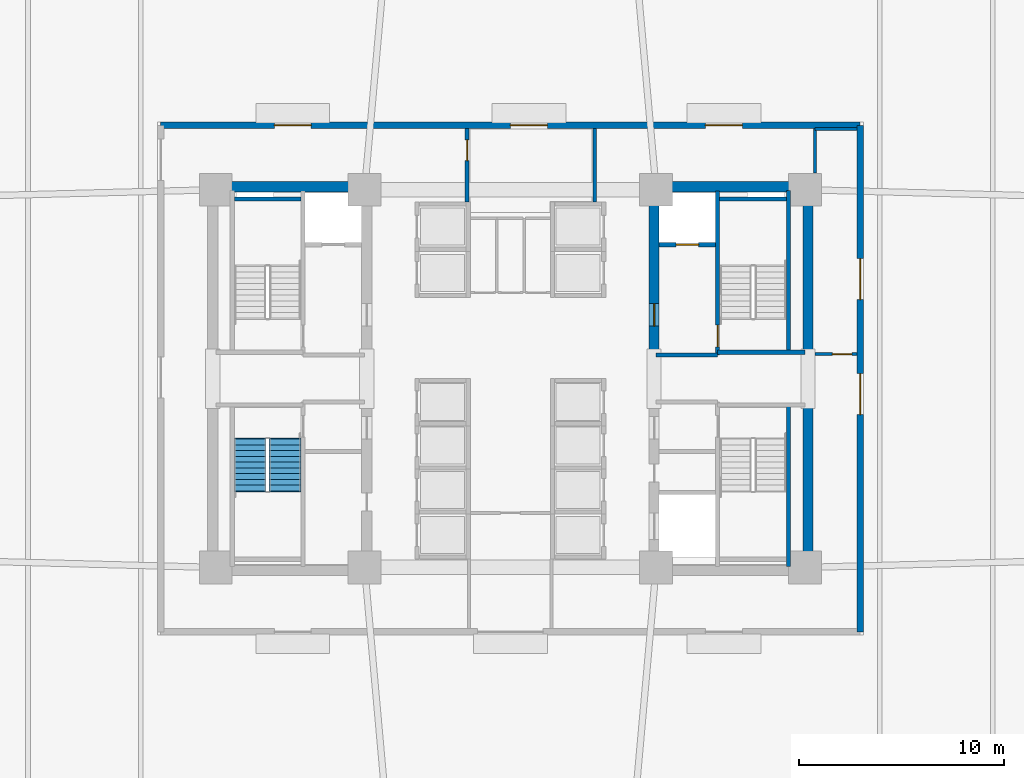
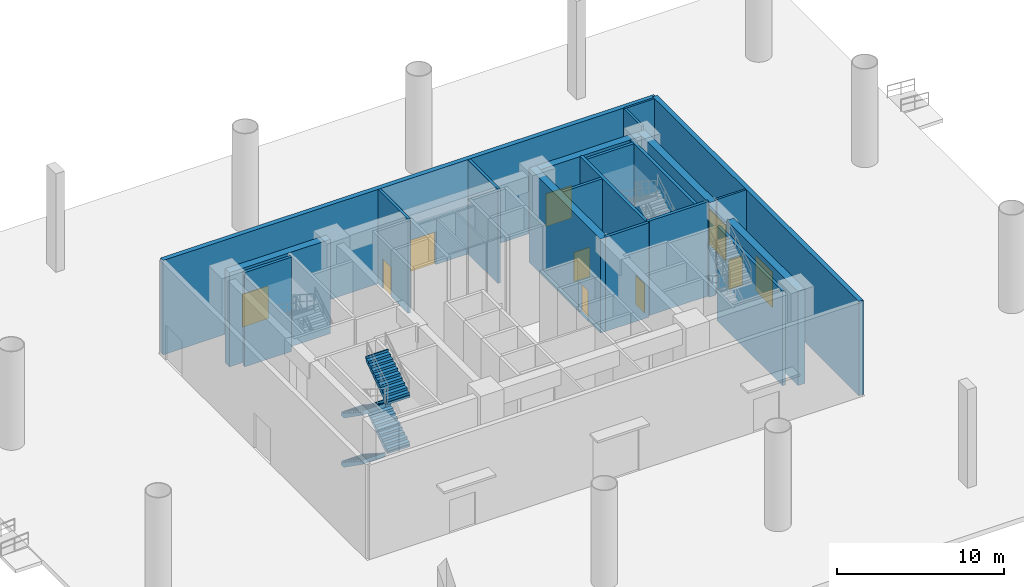
# One storey, part 5 of 10: 20 walls, 10 doors, 4 stair flights, 10 openings, 1 element without a shape of its own.
"""IFC4 building model written with IfcOpenShell, lengths in metres."""

from ifc_helpers import new_model, si_unit, direction, frame, frame_2d, origin, place, context, subcontext, project, spatial, polyline, rectangle, outline, extrude, source, transform, mapped, material, layer, layer_set, type_object, element, fill, aggregate, save


model = new_model("IFC4")

# Units and contexts
model_context = context("Model", 3, precision=1e-05, world=origin(), true_north=direction((0.0, 1.0)))
body_context = subcontext(model_context, "Body", "Model", "MODEL_VIEW")
ifc_project = project(units=[si_unit("LENGTHUNIT", "METRE"), si_unit("AREAUNIT", "SQUARE_METRE"), si_unit("VOLUMEUNIT", "CUBIC_METRE"), si_unit("PLANEANGLEUNIT", "RADIAN"), si_unit("MASSUNIT", "GRAM", prefix="KILO")], contexts=[model_context])

# Site, building, storey
site_placement = place(None, origin())
site = spatial("IfcSite", under=ifc_project, at=site_placement, CompositionType="ELEMENT")
building_placement = place(site_placement, origin())
building = spatial("IfcBuilding", under=site, at=building_placement, Name="Zahravan Cultural Tower", CompositionType="ELEMENT")
storey_placement = place(building_placement, origin())
storey = spatial("IfcBuildingStorey", under=building, at=storey_placement, Name="L00", CompositionType="ELEMENT", Elevation=0.0)

# Wall, opening, door
ifc_material_1 = material(Name="Concrete C60/75", Category="concrete")
ifc_layer_1 = layer(ifc_material_1, 0.5)
ifc_layer_set_1 = layer_set([ifc_layer_1], Name="Concrete C60/75")
wall_type_1 = type_object("IfcWallType", Name="CW-SHEAR-500-C60", PredefinedType="SHEAR", material=ifc_layer_set_1)
wall_1_placement = place(storey_placement, frame((43.0, 28.050048828125, 0.0), z_axis=(0.0, 0.0, 1.0), x_axis=(0.0, 1.0, 0.0)))
wall_1 = element("IfcWall", 1, at=wall_1_placement, inside=storey, type_object=wall_type_1, Name="L00 Core Shear Wall CW-E-WN-L00", PredefinedType="SHEAR", context=body_context, shape_type="SweptSolid", body=[
    extrude(rectangle(XDim=8.550048828125, YDim=0.5, at=frame_2d((4.27490234375, 0.0))), origin(), (0.0, 0.0, 1.0), 6.89990234375),
])
opening_1_placement = place(wall_1_placement, frame((1.5, 0.0, 0.0)))
opening_1 = element("IfcOpeningElement", 2, at=opening_1_placement, cuts=wall_1, Name="Opening D-L00-06", PredefinedType="OPENING", context=body_context, shape_type="SweptSolid", body=[
    extrude(rectangle(XDim=1.10009765625, YDim=2.199951171875, at=frame_2d((0.550048828125, 1.10009765625))), frame((0.0, 0.260009765625, 0.0), z_axis=(0.0, -1.0, 0.0), x_axis=(1.0, 0.0, 0.0)), (0.0, 0.0, 1.0), 0.52001953125),
])
ifc_material_2 = material(Name="Steel ASTM A572 Grade 50", Category="steel")
door_type_1 = type_object("IfcDoorType", Name="DR-LOBBY-1100", OperationType="NOTDEFINED", PredefinedType="DOOR", material=ifc_material_2)
shared_shape_1 = source(origin(), body_context, "Body", "SweptSolid", [
    extrude(rectangle(XDim=1.10009765625, YDim=2.199951171875, at=frame_2d((0.550048828125, 1.10009765625))), frame((0.0, 0.02490234375, 0.0), z_axis=(0.0, -1.0, 0.0), x_axis=(1.0, 0.0, 0.0)), (0.0, 0.0, 1.0), 0.050048828125),
])
door_1_placement = place(opening_1_placement, origin())
door_1 = element("IfcDoor", 3, at=door_1_placement, inside=storey, type_object=door_type_1, Name="L00 Door D-L00-06", OperationType="SINGLE_SWING_RIGHT", OverallHeight=2.199951171875, OverallWidth=1.10009765625, PredefinedType="DOOR", context=body_context, shape_type="MappedRepresentation", body=[
    mapped(shared_shape_1, transform((0.0, 0.0, 0.0), x_axis=(1.0, 0.0, 0.0), y_axis=(0.0, 1.0, 0.0), z_axis=(0.0, 0.0, 1.0), scale=1.0)),
])
fill(opening_1, door_1)

# Wall, openings, doors
ifc_material_3 = material(Name="Precast concrete C40/50", Category="concrete")
ifc_layer_2 = layer(ifc_material_3, 0.320068359375)
ifc_layer_set_2 = layer_set([ifc_layer_2], Name="Precast concrete C40/50")
wall_type_2 = type_object("IfcWallType", Name="EW-TC-320", PredefinedType="SOLIDWALL", material=ifc_layer_set_2)
wall_2_placement = place(storey_placement, frame((18.9599609375, 39.340087890625, 0.0), z_axis=(0.0, 0.0, 1.0), x_axis=(1.0, 0.0, 0.0)))
wall_2 = element("IfcWall", 4, at=wall_2_placement, inside=storey, type_object=wall_type_2, Name="L00 Foyer Exterior Wall EW-L00-N", PredefinedType="SOLIDWALL", context=body_context, shape_type="SweptSolid", body=[
    extrude(rectangle(XDim=34.080078125, YDim=0.320068359375, at=frame_2d((17.0400390625, 0.0))), origin(), (0.0, 0.0, 1.0), 6.89990234375),
])
opening_2_placement = place(wall_2_placement, frame((5.5400390625, 0.0, 0.0)))
opening_2 = element("IfcOpeningElement", 5, at=opening_2_placement, cuts=wall_2, Name="Opening D-ST-W1", PredefinedType="OPENING", context=body_context, shape_type="SweptSolid", body=[
    extrude(rectangle(XDim=1.800048828125, YDim=2.39990234375, at=frame_2d((0.89990234375, 1.199951171875))), frame((0.0, 0.169921875, 0.0), z_axis=(0.0, -1.0, 0.0), x_axis=(1.0, 0.0, 0.0)), (0.0, 0.0, 1.0), 0.340087890625),
])
opening_3_placement = place(wall_2_placement, frame((17.0400390625, 0.0, 0.0)))
opening_3 = element("IfcOpeningElement", 6, at=opening_3_placement, cuts=wall_2, Name="Opening D-L00-FCC", PredefinedType="OPENING", context=body_context, shape_type="SweptSolid", body=[
    extrude(rectangle(XDim=1.800048828125, YDim=2.39990234375, at=frame_2d((0.89990234375, 1.199951171875))), frame((0.0, 0.169921875, 0.0), z_axis=(0.0, -1.0, 0.0), x_axis=(1.0, 0.0, 0.0)), (0.0, 0.0, 1.0), 0.340087890625),
])
opening_4_placement = place(wall_2_placement, frame((26.5400390625, 0.0, 0.0)))
opening_4 = element("IfcOpeningElement", 7, at=opening_4_placement, cuts=wall_2, Name="Opening D-ST-E1", PredefinedType="OPENING", context=body_context, shape_type="SweptSolid", body=[
    extrude(rectangle(XDim=1.800048828125, YDim=2.39990234375, at=frame_2d((0.89990234375, 1.199951171875))), frame((0.0, 0.169921875, 0.0), z_axis=(0.0, -1.0, 0.0), x_axis=(1.0, 0.0, 0.0)), (0.0, 0.0, 1.0), 0.340087890625),
])
ifc_material_4 = material(Name="Anodised bronze-aluminium mullion", Category="aluminium")
door_type_2 = type_object("IfcDoorType", Name="DR-EXIT-1800", OperationType="DOUBLE_DOOR_SINGLE_SWING", PredefinedType="DOOR", material=ifc_material_4)
shared_shape_2 = source(origin(), body_context, "Body", "SweptSolid", [
    extrude(rectangle(XDim=1.800048828125, YDim=2.39990234375, at=frame_2d((0.89990234375, 1.199951171875))), frame((0.0, 0.02490234375, 0.0), z_axis=(0.0, -1.0, 0.0), x_axis=(1.0, 0.0, 0.0)), (0.0, 0.0, 1.0), 0.050048828125),
])
door_2_placement = place(opening_2_placement, origin())
door_2 = element("IfcDoor", 8, at=door_2_placement, inside=storey, type_object=door_type_2, Name="L00 Exterior Door D-ST-W1", OperationType="DOUBLE_DOOR_SINGLE_SWING", OverallHeight=2.39990234375, OverallWidth=1.800048828125, PredefinedType="DOOR", context=body_context, shape_type="MappedRepresentation", body=[
    mapped(shared_shape_2, transform((0.0, 0.0, 0.0), x_axis=(1.0, 0.0, 0.0), y_axis=(0.0, 1.0, 0.0), z_axis=(0.0, 0.0, 1.0), scale=1.0)),
])
fill(opening_2, door_2)
door_3_placement = place(opening_3_placement, origin())
door_3 = element("IfcDoor", 9, at=door_3_placement, inside=storey, type_object=door_type_2, Name="L00 Exterior Door D-L00-FCC", OperationType="DOUBLE_DOOR_SINGLE_SWING", OverallHeight=2.39990234375, OverallWidth=1.800048828125, PredefinedType="DOOR", context=body_context, shape_type="MappedRepresentation", body=[
    mapped(shared_shape_2, transform((0.0, 0.0, 0.0), x_axis=(1.0, 0.0, 0.0), y_axis=(0.0, 1.0, 0.0), z_axis=(0.0, 0.0, 1.0), scale=1.0)),
])
fill(opening_3, door_3)
door_4_placement = place(opening_4_placement, origin())
door_4 = element("IfcDoor", 10, at=door_4_placement, inside=storey, type_object=door_type_2, Name="L00 Exterior Door D-ST-E1", OperationType="DOUBLE_DOOR_SINGLE_SWING", OverallHeight=2.39990234375, OverallWidth=1.800048828125, PredefinedType="DOOR", context=body_context, shape_type="MappedRepresentation", body=[
    mapped(shared_shape_2, transform((0.0, 0.0, 0.0), x_axis=(1.0, 0.0, 0.0), y_axis=(0.0, 1.0, 0.0), z_axis=(0.0, 0.0, 1.0), scale=1.0)),
])
fill(opening_4, door_4)

wall_3_placement = place(storey_placement, frame((53.0400390625, 39.340087890625, 0.0), z_axis=(0.0, 0.0, 1.0), x_axis=(0.0, -1.0, 0.0)))
wall_3 = element("IfcWall", 11, at=wall_3_placement, inside=storey, type_object=wall_type_2, Name="L00 Foyer Exterior Wall EW-L00-E", PredefinedType="SOLIDWALL", context=body_context, shape_type="SweptSolid", body=[
    extrude(rectangle(XDim=24.68017578125, YDim=0.320068359375, at=frame_2d((12.340087890625, 0.0))), origin(), (0.0, 0.0, 1.0), 6.89990234375),
])
opening_5_placement = place(wall_3_placement, frame((6.5, 0.0, 0.0)))
opening_5 = element("IfcOpeningElement", 12, at=opening_5_placement, cuts=wall_3, Name="Opening D-EX01", PredefinedType="OPENING", context=body_context, shape_type="SweptSolid", body=[
    extrude(rectangle(XDim=2.0, YDim=2.60009765625, at=frame_2d((1.0, 1.300048828125))), frame((0.0, 0.169921875, 0.0), z_axis=(0.0, -1.0, 0.0), x_axis=(1.0, 0.0, 0.0)), (0.0, 0.0, 1.0), 0.340087890625),
])
opening_6_placement = place(wall_3_placement, frame((12.10009765625, 0.0, 0.0)))
opening_6 = element("IfcOpeningElement", 13, at=opening_6_placement, cuts=wall_3, Name="Opening D-EX02", PredefinedType="OPENING", context=body_context, shape_type="SweptSolid", body=[
    extrude(rectangle(XDim=2.0, YDim=2.60009765625, at=frame_2d((1.0, 1.300048828125))), frame((0.0, 0.169921875, 0.0), z_axis=(0.0, -1.0, 0.0), x_axis=(1.0, 0.0, 0.0)), (0.0, 0.0, 1.0), 0.340087890625),
])
door_type_3 = type_object("IfcDoorType", Name="DR-FOYER-2000", OperationType="DOUBLE_DOOR_SINGLE_SWING", PredefinedType="DOOR", material=ifc_material_4)
shared_shape_3 = source(origin(), body_context, "Body", "SweptSolid", [
    extrude(rectangle(XDim=2.0, YDim=2.60009765625, at=frame_2d((1.0, 1.300048828125))), frame((0.0, 0.02490234375, 0.0), z_axis=(0.0, -1.0, 0.0), x_axis=(1.0, 0.0, 0.0)), (0.0, 0.0, 1.0), 0.050048828125),
])
door_5_placement = place(opening_5_placement, origin())
door_5 = element("IfcDoor", 14, at=door_5_placement, inside=storey, type_object=door_type_3, Name="L00 Exterior Door D-EX01", OperationType="DOUBLE_DOOR_SINGLE_SWING", OverallHeight=2.60009765625, OverallWidth=2.0, PredefinedType="DOOR", context=body_context, shape_type="MappedRepresentation", body=[
    mapped(shared_shape_3, transform((0.0, 0.0, 0.0), x_axis=(1.0, 0.0, 0.0), y_axis=(0.0, 1.0, 0.0), z_axis=(0.0, 0.0, 1.0), scale=1.0)),
])
fill(opening_5, door_5)
door_6_placement = place(opening_6_placement, origin())
door_6 = element("IfcDoor", 15, at=door_6_placement, inside=storey, type_object=door_type_3, Name="L00 Exterior Door D-EX02", OperationType="DOUBLE_DOOR_SINGLE_SWING", OverallHeight=2.60009765625, OverallWidth=2.0, PredefinedType="DOOR", context=body_context, shape_type="MappedRepresentation", body=[
    mapped(shared_shape_3, transform((0.0, 0.0, 0.0), x_axis=(1.0, 0.0, 0.0), y_axis=(0.0, 1.0, 0.0), z_axis=(0.0, 0.0, 1.0), scale=1.0)),
])
fill(opening_6, door_6)

# Wall, opening, door
ifc_material_5 = material(Name="Gypsum plasterboard partition")
ifc_layer_3 = layer(ifc_material_5, 0.179931640625)
ifc_layer_set_3 = layer_set([ifc_layer_3], Name="Gypsum plasterboard partition")
wall_type_3 = type_object("IfcWallType", Name="W-COMP-180", PredefinedType="PARTITIONING", material=ifc_layer_set_3)
wall_4_placement = place(storey_placement, frame((33.889892578125, 35.60009765625, 0.0), z_axis=(0.0, 0.0, 1.0), x_axis=(0.0, 1.0, 0.0)))
wall_4 = element("IfcWall", 16, at=wall_4_placement, inside=storey, type_object=wall_type_3, Name="L00 Interior Wall 081", PredefinedType="PARTITIONING", context=body_context, shape_type="SweptSolid", body=[
    extrude(rectangle(XDim=3.574951171875, YDim=0.179931640625, at=frame_2d((1.78759765625, 0.0))), origin(), (0.0, 0.0, 1.0), 6.89990234375),
])
opening_7_placement = place(wall_4_placement, frame((2.0224609375, 0.0, 0.0)))
opening_7 = element("IfcOpeningElement", 17, at=opening_7_placement, cuts=wall_4, Name="Opening D-L00-11", PredefinedType="OPENING", context=body_context, shape_type="SweptSolid", body=[
    extrude(rectangle(XDim=1.0, YDim=2.14990234375, at=frame_2d((0.5, 1.074951171875))), frame((0.0, 0.099853515625, 0.0), z_axis=(0.0, -1.0, 0.0), x_axis=(1.0, 0.0, 0.0)), (0.0, 0.0, 1.0), 0.199951171875),
])
door_type_4 = type_object("IfcDoorType", Name="DR-COMP-1000", OperationType="NOTDEFINED", PredefinedType="DOOR", material=ifc_material_2)
shared_shape_4 = source(origin(), body_context, "Body", "SweptSolid", [
    extrude(rectangle(XDim=1.0, YDim=2.14990234375, at=frame_2d((0.5, 1.074951171875))), frame((0.0, 0.02490234375, 0.0), z_axis=(0.0, -1.0, 0.0), x_axis=(1.0, 0.0, 0.0)), (0.0, 0.0, 1.0), 0.050048828125),
])
door_7_placement = place(opening_7_placement, origin())
door_7 = element("IfcDoor", 18, at=door_7_placement, inside=storey, type_object=door_type_4, Name="L00 Door D-L00-11", OperationType="SINGLE_SWING_LEFT", OverallHeight=2.14990234375, OverallWidth=1.0, PredefinedType="DOOR", context=body_context, shape_type="MappedRepresentation", body=[
    mapped(shared_shape_4, transform((0.0, 0.0, 0.0), x_axis=(1.0, 0.0, 0.0), y_axis=(0.0, 1.0, 0.0), z_axis=(0.0, 0.0, 1.0), scale=1.0)),
])
fill(opening_7, door_7)

ifc_layer_4 = layer(ifc_material_5, 0.139892578125)
ifc_layer_set_4 = layer_set([ifc_layer_4], Name="Gypsum plasterboard partition")
wall_type_4 = type_object("IfcWallType", Name="W-PART-140", PredefinedType="PARTITIONING", material=ifc_layer_set_4)
wall_5_placement = place(storey_placement, frame((52.875, 28.18994140625, 0.0), z_axis=(0.0, 0.0, 1.0), x_axis=(-1.0, 0.0, 0.0)))
wall_5 = element("IfcWall", 19, at=wall_5_placement, inside=storey, type_object=wall_type_4, Name="L00 Interior Wall 078", PredefinedType="PARTITIONING", context=body_context, shape_type="SweptSolid", body=[
    extrude(rectangle(XDim=2.034912109375, YDim=0.139892578125, at=frame_2d((1.017578125, 0.0))), origin(), (0.0, 0.0, 1.0), 6.89990234375),
])
opening_8_placement = place(wall_5_placement, frame((0.23876953125, 0.0, 0.0)))
opening_8 = element("IfcOpeningElement", 20, at=opening_8_placement, cuts=wall_5, Name="Opening D-L00-16", PredefinedType="OPENING", context=body_context, shape_type="SweptSolid", body=[
    extrude(rectangle(XDim=0.949951171875, YDim=2.14990234375, at=frame_2d((0.47509765625, 1.074951171875))), frame((0.0, 0.079833984375, 0.0), z_axis=(0.0, -1.0, 0.0), x_axis=(1.0, 0.0, 0.0)), (0.0, 0.0, 1.0), 0.159912109375),
])
door_type_5 = type_object("IfcDoorType", Name="DR-ROOM-950", OperationType="NOTDEFINED", PredefinedType="DOOR", material=ifc_material_4)
shared_shape_5 = source(origin(), body_context, "Body", "SweptSolid", [
    extrude(rectangle(XDim=0.949951171875, YDim=2.14990234375, at=frame_2d((0.47509765625, 1.074951171875))), frame((0.0, 0.02490234375, 0.0), z_axis=(0.0, -1.0, 0.0), x_axis=(1.0, 0.0, 0.0)), (0.0, 0.0, 1.0), 0.050048828125),
])
door_8_placement = place(opening_8_placement, origin())
door_8 = element("IfcDoor", 21, at=door_8_placement, inside=storey, type_object=door_type_5, Name="L00 Door D-L00-16", OperationType="SINGLE_SWING_RIGHT", OverallHeight=2.14990234375, OverallWidth=0.949951171875, PredefinedType="DOOR", context=body_context, shape_type="MappedRepresentation", body=[
    mapped(shared_shape_5, transform((0.0, 0.0, 0.0), x_axis=(1.0, 0.0, 0.0), y_axis=(0.0, 1.0, 0.0), z_axis=(0.0, 0.0, 1.0), scale=1.0)),
])
fill(opening_8, door_8)

ifc_material_6 = material(Name="Concrete C45/55", Category="concrete")
ifc_layer_5 = layer(ifc_material_6, 0.199951171875)
ifc_layer_set_5 = layer_set([ifc_layer_5], Name="Concrete C45/55")
wall_type_5 = type_object("IfcWallType", Name="W-SHAFT-200", PredefinedType="SOLIDWALL", material=ifc_layer_set_5)
wall_6_placement = place(storey_placement, frame((46.10009765625, 28.14990234375, 0.0), z_axis=(0.0, 0.0, 1.0), x_axis=(0.0, 1.0, 0.0)))
wall_6 = element("IfcWall", 22, at=wall_6_placement, inside=storey, type_object=wall_type_5, Name="L00 Interior Wall 008", PredefinedType="SOLIDWALL", context=body_context, shape_type="SweptSolid", body=[
    extrude(rectangle(XDim=8.0, YDim=0.199951171875, at=frame_2d((4.0, 0.0))), origin(), (0.0, 0.0, 1.0), 6.89990234375),
])
opening_9_placement = place(wall_6_placement, frame((0.39990234375, 0.0, 0.0)))
opening_9 = element("IfcOpeningElement", 23, at=opening_9_placement, cuts=wall_6, Name="Opening D-L00-02", PredefinedType="OPENING", context=body_context, shape_type="SweptSolid", body=[
    extrude(rectangle(XDim=1.050048828125, YDim=2.14990234375, at=frame_2d((0.52490234375, 1.074951171875))), frame((0.0, 0.10986328125, 0.0), z_axis=(0.0, -1.0, 0.0), x_axis=(1.0, 0.0, 0.0)), (0.0, 0.0, 1.0), 0.219970703125),
])
door_type_6 = type_object("IfcDoorType", Name="DR-STAIR-1050", OperationType="NOTDEFINED", PredefinedType="DOOR", material=ifc_material_2)
shared_shape_6 = source(origin(), body_context, "Body", "SweptSolid", [
    extrude(rectangle(XDim=1.050048828125, YDim=2.14990234375, at=frame_2d((0.52490234375, 1.074951171875))), frame((0.0, 0.02490234375, 0.0), z_axis=(0.0, -1.0, 0.0), x_axis=(1.0, 0.0, 0.0)), (0.0, 0.0, 1.0), 0.050048828125),
])
door_9_placement = place(opening_9_placement, origin())
door_9 = element("IfcDoor", 24, at=door_9_placement, inside=storey, type_object=door_type_6, Name="L00 Door D-L00-02", OperationType="SINGLE_SWING_RIGHT", OverallHeight=2.14990234375, OverallWidth=1.050048828125, PredefinedType="DOOR", context=body_context, shape_type="MappedRepresentation", body=[
    mapped(shared_shape_6, transform((0.0, 0.0, 0.0), x_axis=(1.0, 0.0, 0.0), y_axis=(0.0, 1.0, 0.0), z_axis=(0.0, 0.0, 1.0), scale=1.0)),
])
fill(opening_9, door_9)

wall_7_placement = place(storey_placement, frame((43.25, 33.52001953125, 0.0), z_axis=(0.0, 0.0, 1.0), x_axis=(1.0, 0.0, 0.0)))
wall_7 = element("IfcWall", 25, at=wall_7_placement, inside=storey, type_object=wall_type_5, Name="L00 Interior Wall 022", PredefinedType="SOLIDWALL", context=body_context, shape_type="SweptSolid", body=[
    extrude(rectangle(XDim=2.75, YDim=0.199951171875, at=frame_2d((1.375, 0.0))), origin(), (0.0, 0.0, 1.0), 6.89990234375),
])
opening_10_placement = place(wall_7_placement, frame((0.820068359375, 0.0, 0.0)))
opening_10 = element("IfcOpeningElement", 26, at=opening_10_placement, cuts=wall_7, Name="Opening LD-L00-02", PredefinedType="OPENING", context=body_context, shape_type="SweptSolid", body=[
    extrude(rectangle(XDim=1.10009765625, YDim=2.14990234375, at=frame_2d((0.550048828125, 1.074951171875))), frame((0.0, 0.10986328125, 0.0), z_axis=(0.0, -1.0, 0.0), x_axis=(1.0, 0.0, 0.0)), (0.0, 0.0, 1.0), 0.219970703125),
])
door_type_7 = type_object("IfcDoorType", Name="DR-LIFT-1100", OperationType="DOUBLE_DOOR_SLIDING", PredefinedType="DOOR", material=ifc_material_2)
shared_shape_7 = source(origin(), body_context, "Body", "SweptSolid", [
    extrude(rectangle(XDim=1.10009765625, YDim=2.14990234375, at=frame_2d((0.550048828125, 1.074951171875))), frame((0.0, 0.02490234375, 0.0), z_axis=(0.0, -1.0, 0.0), x_axis=(1.0, 0.0, 0.0)), (0.0, 0.0, 1.0), 0.050048828125),
])
door_10_placement = place(opening_10_placement, origin())
door_10 = element("IfcDoor", 27, at=door_10_placement, inside=storey, type_object=door_type_7, Name="L00 Door LD-L00-02", OperationType="DOUBLE_DOOR_SLIDING", OverallHeight=2.14990234375, OverallWidth=1.10009765625, PredefinedType="DOOR", context=body_context, shape_type="MappedRepresentation", body=[
    mapped(shared_shape_7, transform((0.0, 0.0, 0.0), x_axis=(1.0, 0.0, 0.0), y_axis=(0.0, 1.0, 0.0), z_axis=(0.0, 0.0, 1.0), scale=1.0)),
])
fill(opening_10, door_10)

# Walls
shared_shape_8 = source(origin(), body_context, "Body", "SweptSolid", [
    extrude(rectangle(XDim=8.550048828125, YDim=0.5, at=frame_2d((4.27490234375, 0.0))), origin(), (0.0, 0.0, 1.0), 6.89990234375),
])
for number, where, z_axis, x_axis, name in (
    (28, (50.5, 17.39990234375, 0.0), (0.0, 0.0, 1.0), (0.0, 1.0, 0.0), "L00 Core Shear Wall CW-E-ES-L00"),
    (29, (50.5, 28.050048828125, 0.0), (0.0, 0.0, 1.0), (0.0, 1.0, 0.0), "L00 Core Shear Wall CW-E-EN-L00"),
):
    element("IfcWall", number, at=place(storey_placement, frame(where, z_axis=z_axis, x_axis=x_axis)), inside=storey, type_object=wall_type_1, Name=name, PredefinedType="SHEAR", context=body_context, shape_type="MappedRepresentation", body=[
        mapped(shared_shape_8, transform((0.0, 0.0, 0.0), x_axis=(1.0, 0.0, 0.0), y_axis=(0.0, 1.0, 0.0), z_axis=(0.0, 0.0, 1.0), scale=1.0)),
    ])
shared_shape_9 = source(origin(), body_context, "Body", "SweptSolid", [
    extrude(rectangle(XDim=7.0, YDim=0.5, at=frame_2d((3.5, 0.0))), origin(), (0.0, 0.0, 1.0), 6.89990234375),
])
for number, where, z_axis, x_axis, name in (
    (30, (21.75, 36.35009765625, 0.0), (0.0, 0.0, 1.0), (1.0, 0.0, 0.0), "L00 Core Shear Wall CW-W-N-L00"),
    (31, (43.25, 36.35009765625, 0.0), (0.0, 0.0, 1.0), (1.0, 0.0, 0.0), "L00 Core Shear Wall CW-E-N-L00"),
):
    element("IfcWall", number, at=place(storey_placement, frame(where, z_axis=z_axis, x_axis=x_axis)), inside=storey, type_object=wall_type_1, Name=name, PredefinedType="SHEAR", context=body_context, shape_type="MappedRepresentation", body=[
        mapped(shared_shape_9, transform((0.0, 0.0, 0.0), x_axis=(1.0, 0.0, 0.0), y_axis=(0.0, 1.0, 0.0), z_axis=(0.0, 0.0, 1.0), scale=1.0)),
    ])
shared_shape_10 = source(origin(), body_context, "Body", "SweptSolid", [
    extrude(rectangle(XDim=7.869873046875, YDim=0.199951171875, at=frame_2d((3.93505859375, 0.0))), origin(), (0.0, 0.0, 1.0), 6.89990234375),
])
for number, where, z_axis, x_axis, name in (
    (32, (49.550048828125, 17.85009765625, 0.0), (0.0, 0.0, 1.0), (0.0, 1.0, 0.0), "L00 Interior Wall 003"),
    (33, (49.550048828125, 28.280029296875, 0.0), (0.0, 0.0, 1.0), (0.0, 1.0, 0.0), "L00 Interior Wall 004"),
):
    element("IfcWall", number, at=place(storey_placement, frame(where, z_axis=z_axis, x_axis=x_axis)), inside=storey, type_object=wall_type_5, Name=name, PredefinedType="SOLIDWALL", context=body_context, shape_type="MappedRepresentation", body=[
        mapped(shared_shape_10, transform((0.0, 0.0, 0.0), x_axis=(1.0, 0.0, 0.0), y_axis=(0.0, 1.0, 0.0), z_axis=(0.0, 0.0, 1.0), scale=1.0)),
    ])
shared_shape_11 = source(origin(), body_context, "Body", "SweptSolid", [
    extrude(rectangle(XDim=4.25, YDim=0.199951171875, at=frame_2d((2.125, 0.0))), origin(), (0.0, 0.0, 1.0), 6.89990234375),
])
wall_8_placement = place(storey_placement, frame((46.10009765625, 28.284912109375, 0.0), z_axis=(0.0, 0.0, 1.0), x_axis=(1.0, 0.0, 0.0)))
element("IfcWall", 34, at=wall_8_placement, inside=storey, type_object=wall_type_5, Name="L00 Interior Wall 016", PredefinedType="SOLIDWALL", context=body_context, shape_type="MappedRepresentation", body=[
    mapped(shared_shape_11, transform((0.0, 0.0, 0.0), x_axis=(1.0, 0.0, 0.0), y_axis=(0.0, 1.0, 0.0), z_axis=(0.0, 0.0, 1.0), scale=1.0)),
])
shared_shape_12 = source(origin(), body_context, "Body", "SweptSolid", [
    extrude(rectangle(XDim=3.0, YDim=0.199951171875, at=frame_2d((1.5, 0.0))), origin(), (0.0, 0.0, 1.0), 6.89990234375),
])
wall_9_placement = place(storey_placement, frame((43.10009765625, 28.14990234375, 0.0), z_axis=(0.0, 0.0, 1.0), x_axis=(1.0, 0.0, 0.0)))
element("IfcWall", 35, at=wall_9_placement, inside=storey, type_object=wall_type_5, Name="L00 Interior Wall 015", PredefinedType="SOLIDWALL", context=body_context, shape_type="MappedRepresentation", body=[
    mapped(shared_shape_12, transform((0.0, 0.0, 0.0), x_axis=(1.0, 0.0, 0.0), y_axis=(0.0, 1.0, 0.0), z_axis=(0.0, 0.0, 1.0), scale=1.0)),
])
shared_shape_13 = source(origin(), body_context, "Body", "SweptSolid", [
    extrude(rectangle(XDim=3.25, YDim=0.199951171875, at=frame_2d((1.625, 0.0))), origin(), (0.0, 0.0, 1.0), 6.89990234375),
])
for number, where, z_axis, x_axis, name in (
    (36, (22.550048828125, 35.75, 0.0), (0.0, 0.0, 1.0), (1.0, 0.0, 0.0), "L00 Interior Wall 017"),
    (37, (46.199951171875, 35.75, 0.0), (0.0, 0.0, 1.0), (1.0, 0.0, 0.0), "L00 Interior Wall 018"),
):
    element("IfcWall", number, at=place(storey_placement, frame(where, z_axis=z_axis, x_axis=x_axis)), inside=storey, type_object=wall_type_5, Name=name, PredefinedType="SOLIDWALL", context=body_context, shape_type="MappedRepresentation", body=[
        mapped(shared_shape_13, transform((0.0, 0.0, 0.0), x_axis=(1.0, 0.0, 0.0), y_axis=(0.0, 1.0, 0.0), z_axis=(0.0, 0.0, 1.0), scale=1.0)),
    ])
shared_shape_14 = source(origin(), body_context, "Body", "SweptSolid", [
    extrude(rectangle(XDim=2.034912109375, YDim=0.139892578125, at=frame_2d((1.017578125, 0.0))), origin(), (0.0, 0.0, 1.0), 6.89990234375),
])
wall_10_placement = place(storey_placement, frame((50.840087890625, 39.159912109375, 0.0), z_axis=(0.0, 0.0, 1.0), x_axis=(1.0, 0.0, 0.0)))
element("IfcWall", 38, at=wall_10_placement, inside=storey, type_object=wall_type_4, Name="L00 Interior Wall 077", PredefinedType="PARTITIONING", context=body_context, shape_type="MappedRepresentation", body=[
    mapped(shared_shape_14, transform((0.0, 0.0, 0.0), x_axis=(1.0, 0.0, 0.0), y_axis=(0.0, 1.0, 0.0), z_axis=(0.0, 0.0, 1.0), scale=1.0)),
])
shared_shape_15 = source(origin(), body_context, "Body", "SweptSolid", [
    extrude(rectangle(XDim=2.155029296875, YDim=0.139892578125, at=frame_2d((1.07763671875, 0.0))), origin(), (0.0, 0.0, 1.0), 6.89990234375),
])
wall_11_placement = place(storey_placement, frame((50.840087890625, 37.02001953125, 0.0), z_axis=(0.0, 0.0, 1.0), x_axis=(0.0, 1.0, 0.0)))
element("IfcWall", 39, at=wall_11_placement, inside=storey, type_object=wall_type_4, Name="L00 Interior Wall 079", PredefinedType="PARTITIONING", context=body_context, shape_type="MappedRepresentation", body=[
    mapped(shared_shape_15, transform((0.0, 0.0, 0.0), x_axis=(1.0, 0.0, 0.0), y_axis=(0.0, 1.0, 0.0), z_axis=(0.0, 0.0, 1.0), scale=1.0)),
])
shared_shape_16 = source(origin(), body_context, "Body", "SweptSolid", [
    extrude(rectangle(XDim=3.570068359375, YDim=0.179931640625, at=frame_2d((1.78515625, 0.0))), origin(), (0.0, 0.0, 1.0), 6.89990234375),
])
wall_12_placement = place(storey_placement, frame((40.110107421875, 39.175048828125, 0.0), z_axis=(0.0, 0.0, 1.0), x_axis=(0.0, -1.0, 0.0)))
element("IfcWall", 40, at=wall_12_placement, inside=storey, type_object=wall_type_3, Name="L00 Interior Wall 080", PredefinedType="PARTITIONING", context=body_context, shape_type="MappedRepresentation", body=[
    mapped(shared_shape_16, transform((0.0, 0.0, 0.0), x_axis=(1.0, 0.0, 0.0), y_axis=(0.0, 1.0, 0.0), z_axis=(0.0, 0.0, 1.0), scale=1.0)),
])

# Stair, stair flights
stair_type = type_object("IfcStairType", Name="STR-DL-1550-720", PredefinedType="HALF_TURN_STAIR", material=ifc_material_6)
stair_placement = place(storey_placement, origin())
stair = element("IfcStair", 41, at=stair_placement, inside=storey, type_object=stair_type, Name="L00 West Core South Exit Stair ST-W2", PredefinedType="HALF_TURN_STAIR")
stair_flight_type = type_object("IfcStairFlightType", Name="FLG-DL-1550-720", PredefinedType="STRAIGHT", material=ifc_material_6)
stair_flight_1_placement = place(storey_placement, frame((23.324951171875, 24.050048828125, 0.0), z_axis=(0.0, 0.0, 1.0), x_axis=(0.0, -1.0, 0.0)))
stair_flight_1 = element("IfcStairFlight", 42, at=stair_flight_1_placement, type_object=stair_flight_type, Name="ST-W2 flight 1", NumberOfRisers=10, NumberOfTreads=9, PredefinedType="STRAIGHT", RiserHeight=0.18, TreadLength=0.28, context=body_context, shape_type="SweptSolid", body=[
    extrude(outline(polyline([(-0.06494140625, -0.139892578125), (-0.06494140625, 0.0), (0.0, 0.0), (0.0, 0.179931640625), (0.280029296875, 0.179931640625), (0.280029296875, 0.360107421875), (0.56005859375, 0.360107421875), (0.56005859375, 0.5400390625), (0.840087890625, 0.5400390625), (0.840087890625, 0.719970703125), (1.1201171875, 0.719970703125), (1.1201171875, 0.89990234375), (1.39990234375, 0.89990234375), (1.39990234375, 1.080078125), (1.679931640625, 1.080078125), (1.679931640625, 1.260009765625), (1.9599609375, 1.260009765625), (1.9599609375, 1.43994140625), (2.239990234375, 1.43994140625), (2.239990234375, 1.6201171875), (2.52001953125, 1.6201171875), (2.52001953125, 1.800048828125), (2.5849609375, 1.800048828125), (2.5849609375, 1.650146484375), (2.52001953125, 1.44189453125), (0.277099609375, -0.139892578125), (-0.06494140625, -0.139892578125)])), frame((0.0, 0.77490234375, 0.0), z_axis=(0.0, -1.0, 0.0), x_axis=(1.0, 0.0, 0.0)), (0.0, 0.0, 1.0), 1.550048828125),
])
stair_flight_2_placement = place(storey_placement, frame((25.02490234375, 21.530029296875, 1.800048828125), z_axis=(0.0, 0.0, 1.0), x_axis=(0.0, 1.0, 0.0)))
stair_flight_2 = element("IfcStairFlight", 43, at=stair_flight_2_placement, type_object=stair_flight_type, Name="ST-W2 flight 2", NumberOfRisers=10, NumberOfTreads=9, PredefinedType="STRAIGHT", RiserHeight=0.18, TreadLength=0.28, context=body_context, shape_type="SweptSolid", body=[
    extrude(outline(polyline([(-0.06494140625, -0.139892578125), (-0.06494140625, 0.0), (0.0, 0.0), (0.0, 0.179931640625), (0.280029296875, 0.179931640625), (0.280029296875, 0.360107421875), (0.56005859375, 0.360107421875), (0.56005859375, 0.5400390625), (0.840087890625, 0.5400390625), (0.840087890625, 0.719970703125), (1.1201171875, 0.719970703125), (1.1201171875, 0.89990234375), (1.39990234375, 0.89990234375), (1.39990234375, 1.080078125), (1.679931640625, 1.080078125), (1.679931640625, 1.260009765625), (1.9599609375, 1.260009765625), (1.9599609375, 1.43994140625), (2.239990234375, 1.43994140625), (2.239990234375, 1.6201171875), (2.52001953125, 1.6201171875), (2.52001953125, 1.800048828125), (2.5849609375, 1.800048828125), (2.5849609375, 1.650146484375), (2.52001953125, 1.44189453125), (0.277099609375, -0.139892578125), (-0.06494140625, -0.139892578125)])), frame((0.0, 0.77490234375, 0.0), z_axis=(0.0, -1.0, 0.0), x_axis=(1.0, 0.0, 0.0)), (0.0, 0.0, 1.0), 1.550048828125),
])
stair_flight_3_placement = place(storey_placement, frame((23.324951171875, 24.050048828125, 3.60009765625), z_axis=(0.0, 0.0, 1.0), x_axis=(0.0, -1.0, 0.0)))
stair_flight_3 = element("IfcStairFlight", 44, at=stair_flight_3_placement, type_object=stair_flight_type, Name="ST-W2 flight 3", NumberOfRisers=10, NumberOfTreads=9, PredefinedType="STRAIGHT", RiserHeight=0.18, TreadLength=0.28, context=body_context, shape_type="SweptSolid", body=[
    extrude(outline(polyline([(-0.06494140625, -0.139892578125), (-0.06494140625, 0.0), (0.0, 0.0), (0.0, 0.179931640625), (0.280029296875, 0.179931640625), (0.280029296875, 0.360107421875), (0.56005859375, 0.360107421875), (0.56005859375, 0.5400390625), (0.840087890625, 0.5400390625), (0.840087890625, 0.719970703125), (1.1201171875, 0.719970703125), (1.1201171875, 0.89990234375), (1.39990234375, 0.89990234375), (1.39990234375, 1.080078125), (1.679931640625, 1.080078125), (1.679931640625, 1.260009765625), (1.9599609375, 1.260009765625), (1.9599609375, 1.43994140625), (2.239990234375, 1.43994140625), (2.239990234375, 1.6201171875), (2.52001953125, 1.6201171875), (2.52001953125, 1.800048828125), (2.5849609375, 1.800048828125), (2.5849609375, 1.650146484375), (2.52001953125, 1.44189453125), (0.277099609375, -0.139892578125), (-0.06494140625, -0.139892578125)])), frame((0.0, 0.77490234375, 0.0), z_axis=(0.0, -1.0, 0.0), x_axis=(1.0, 0.0, 0.0)), (0.0, 0.0, 1.0), 1.550048828125),
])
stair_flight_4_placement = place(storey_placement, frame((25.02490234375, 21.530029296875, 5.39990234375), z_axis=(0.0, 0.0, 1.0), x_axis=(0.0, 1.0, 0.0)))
stair_flight_4 = element("IfcStairFlight", 45, at=stair_flight_4_placement, type_object=stair_flight_type, Name="ST-W2 flight 4", NumberOfRisers=10, NumberOfTreads=9, PredefinedType="STRAIGHT", RiserHeight=0.18, TreadLength=0.28, context=body_context, shape_type="SweptSolid", body=[
    extrude(outline(polyline([(-0.06494140625, -0.139892578125), (-0.06494140625, 0.0), (0.0, 0.0), (0.0, 0.179931640625), (0.280029296875, 0.179931640625), (0.280029296875, 0.360107421875), (0.56005859375, 0.360107421875), (0.56005859375, 0.5400390625), (0.840087890625, 0.5400390625), (0.840087890625, 0.719970703125), (1.1201171875, 0.719970703125), (1.1201171875, 0.89990234375), (1.39990234375, 0.89990234375), (1.39990234375, 1.080078125), (1.679931640625, 1.080078125), (1.679931640625, 1.260009765625), (1.9599609375, 1.260009765625), (1.9599609375, 1.43994140625), (2.239990234375, 1.43994140625), (2.239990234375, 1.6201171875), (2.52001953125, 1.6201171875), (2.52001953125, 1.800048828125), (2.5849609375, 1.800048828125), (2.5849609375, 1.650146484375), (2.52001953125, 1.44189453125), (0.277099609375, -0.139892578125), (-0.06494140625, -0.139892578125)])), frame((0.0, 0.77490234375, 0.0), z_axis=(0.0, -1.0, 0.0), x_axis=(1.0, 0.0, 0.0)), (0.0, 0.0, 1.0), 1.550048828125),
])
aggregate(stair, [stair_flight_1, stair_flight_2, stair_flight_3, stair_flight_4])

save(model, "model.ifc")
